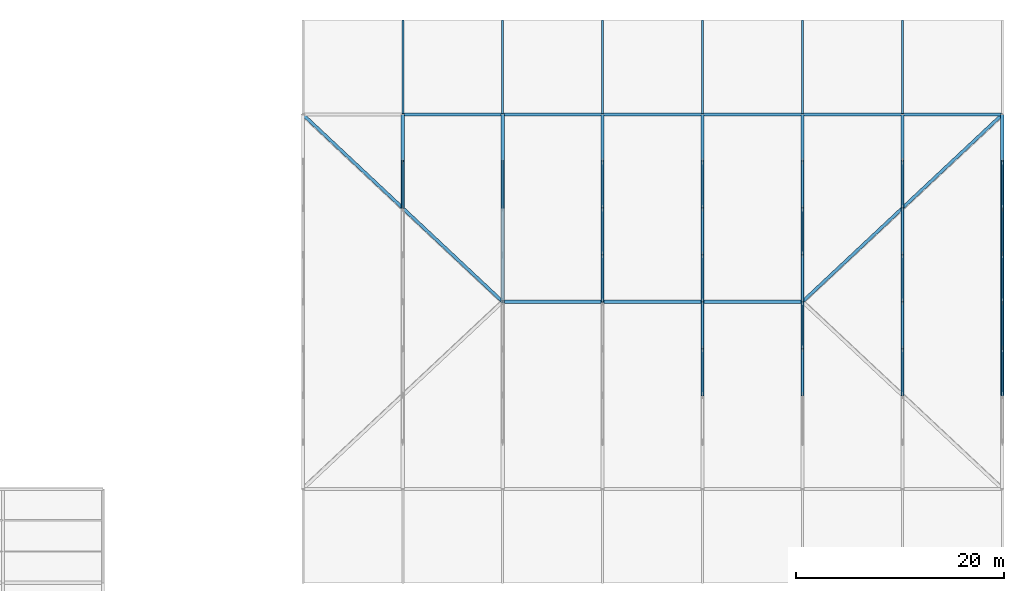
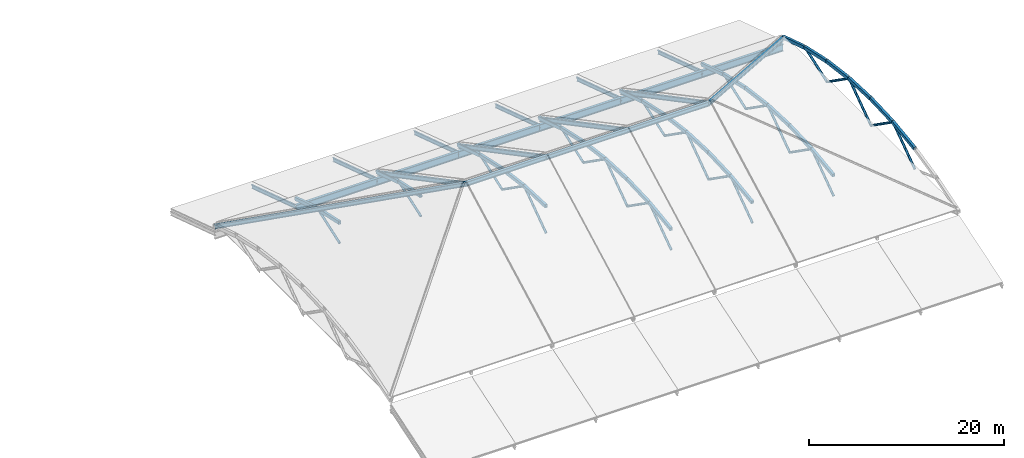
# One storey, part 3 of 16: 57 members, 19 beams.
"""IFC4 building model written with IfcOpenShell, lengths in metres."""

from ifc_helpers import new_model, si_unit, direction, frame, origin, origin_2d, place, context, subcontext, project, spatial, hollow_rectangle, hollow_circle, i_section, extrude, material, material_profile, profile_set, type_object, element, save


model = new_model("IFC4")

# Units and contexts
model_context = context("Model", 3, precision=1e-05, world=origin(), true_north=direction((0.0, 1.0)))
body_context = subcontext(model_context, "Body", "Model", "MODEL_VIEW")
ifc_project = project(units=[si_unit("LENGTHUNIT", "METRE"), si_unit("AREAUNIT", "SQUARE_METRE"), si_unit("VOLUMEUNIT", "CUBIC_METRE"), si_unit("PLANEANGLEUNIT", "RADIAN"), si_unit("MASSUNIT", "GRAM", prefix="KILO")], contexts=[model_context])

# Site, building, storey
site_placement = place(None, origin())
site = spatial("IfcSite", under=ifc_project, at=site_placement, CompositionType="ELEMENT")
building_placement = place(site_placement, origin())
building = spatial("IfcBuilding", under=site, at=building_placement, Name="Zarnetskaya Central Station", CompositionType="ELEMENT")
storey_placement = place(building_placement, frame((0.0, 0.0, 27.0)))
storey = spatial("IfcBuildingStorey", under=building, at=storey_placement, Name="RF", CompositionType="ELEMENT", Elevation=27.0)

# Beams
ifc_material = material(Name="Steel S355", Category="steel")
ifc_material_profile_1 = material_profile(ifc_material, i_section(OverallWidth=0.18994140625, OverallDepth=0.449951171875, WebThickness=0.009521484375, FlangeThickness=0.0146484375, FilletRadius=0.02099609375, at=origin_2d()), Name="IPE 450")
ifc_profile_set_1 = profile_set([ifc_material_profile_1], Name="Steel S355")
beam_type_1 = type_object("IfcBeamType", Name="BM-EAVE-RAKER", PredefinedType="BEAM", material=ifc_profile_set_1)
for number, where, z_axis, x_axis, name in (
    (1, (67.199951171875, 67.199951171875, -16.85009765625), (0.0, -0.951184133272, 0.308623953398), (1.0, 0.0, 0.0), "Hall north eave raker H"),
    (2, (76.800048828125, 67.199951171875, -16.85009765625), (0.0, -0.951184133272, 0.308623953398), (1.0, 0.0, 0.0), "Hall north eave raker J"),
    (3, (86.39990234375, 67.199951171875, -16.85009765625), (0.0, -0.951184133272, 0.308623953398), (1.0, 0.0, 0.0), "Hall north eave raker K"),
    (4, (96.0, 67.199951171875, -16.85009765625), (0.0, -0.951184133272, 0.308623953398), (1.0, 0.0, 0.0), "Hall north eave raker L"),
    (5, (105.60009765625, 67.199951171875, -16.85009765625), (0.0, -0.951184133272, 0.308623953398), (1.0, 0.0, 0.0), "Hall north eave raker M"),
    (6, (115.199951171875, 67.199951171875, -16.85009765625), (0.0, -0.951184133272, 0.308623953398), (1.0, 0.0, 0.0), "Hall north eave raker N"),
):
    element("IfcBeam", number, at=place(storey_placement, frame(where, z_axis=z_axis, x_axis=x_axis)), inside=storey, type_object=beam_type_1, Name=name, PredefinedType="BEAM", context=body_context, shape_type="SweptSolid", body=[
        extrude(i_section(OverallWidth=0.18994140625, OverallDepth=0.449951171875, WebThickness=0.009521484375, FlangeThickness=0.0146484375, FilletRadius=0.02099609375, at=origin_2d()), origin(), (0.0, 0.0, 1.0), 9.4619140625),
    ])
ifc_material_profile_2 = material_profile(ifc_material, i_section(OverallWidth=0.300048828125, OverallDepth=0.5, WebThickness=0.014404296875, FlangeThickness=0.028076171875, FilletRadius=0.027099609375, at=origin_2d()), Name="HEB 500")
ifc_profile_set_2 = profile_set([ifc_material_profile_2], Name="Steel S355")
beam_type_2 = type_object("IfcBeamType", Name="BM-HIP-RAFTER", PredefinedType="BEAM", material=ifc_profile_set_2)
for number, where, z_axis, x_axis, name in (
    (7, (76.800048828125, 58.199951171875, -13.050048828125), (0.0, -0.884384752847, 0.466758619558), (1.0, 0.0, 0.0), "Grand hall north pitched rafter J"),
    (8, (86.39990234375, 58.199951171875, -13.050048828125), (0.0, -0.884384752847, 0.466758619558), (1.0, 0.0, 0.0), "Grand hall north pitched rafter K"),
    (9, (96.0, 58.199951171875, -13.050048828125), (0.0, -0.884384752847, 0.466758619558), (1.0, 0.0, 0.0), "Grand hall north pitched rafter L"),
    (10, (105.60009765625, 58.199951171875, -13.050048828125), (0.0, -0.884384752847, 0.466758619558), (1.0, 0.0, 0.0), "Grand hall north pitched rafter M"),
):
    element("IfcBeam", number, at=place(storey_placement, frame(where, z_axis=z_axis, x_axis=x_axis)), inside=storey, type_object=beam_type_2, Name=name, PredefinedType="BEAM", context=body_context, shape_type="SweptSolid", body=[
        extrude(i_section(OverallWidth=0.300048828125, OverallDepth=0.5, WebThickness=0.014404296875, FlangeThickness=0.028076171875, FilletRadius=0.027099609375, at=origin_2d()), origin(), (0.0, 0.0, 1.0), 20.35302734375),
    ])
for number, where, z_axis, x_axis, name in (
    (11, (57.60009765625, 58.199951171875, -13.050048828125), (0.686199301132, -0.643313480842, 0.339526559333), (0.683942054608, 0.72953633627, 0.0), "Grand hall diagonal hip rafter HR-NW"),
    (12, (124.800048828125, 58.199951171875, -13.050048828125), (-0.686199301132, -0.643313480842, 0.339526559333), (0.683942054608, -0.72953633627, 0.0), "Grand hall diagonal hip rafter HR-NE"),
):
    element("IfcBeam", number, at=place(storey_placement, frame(where, z_axis=z_axis, x_axis=x_axis)), inside=storey, type_object=beam_type_2, Name=name, PredefinedType="BEAM", context=body_context, shape_type="SweptSolid", body=[
        extrude(i_section(OverallWidth=0.300048828125, OverallDepth=0.5, WebThickness=0.014404296875, FlangeThickness=0.028076171875, FilletRadius=0.027099609375, at=origin_2d()), origin(), (0.0, 0.0, 1.0), 27.980224609375),
    ])
ifc_material_profile_3 = material_profile(ifc_material, i_section(OverallWidth=0.300048828125, OverallDepth=0.550048828125, WebThickness=0.014892578125, FlangeThickness=0.029052734375, FilletRadius=0.027099609375, at=origin_2d()), Name="HEB 550")
ifc_profile_set_3 = profile_set([ifc_material_profile_3], Name="Steel S355")
beam_type_3 = type_object("IfcBeamType", Name="BM-HIP-RIDGE", PredefinedType="USERDEFINED", material=ifc_profile_set_3)
beam_1_placement = place(storey_placement, frame((76.800048828125, 40.199951171875, -3.550048828125), z_axis=(1.0, 0.0, 0.0), x_axis=(0.0, 1.0, 0.0)))
element("IfcBeam", 13, at=beam_1_placement, inside=storey, type_object=beam_type_3, Name="Grand hall pyramid-hip ridge girder", ObjectType="GIRDER", PredefinedType="USERDEFINED", context=body_context, shape_type="SweptSolid", body=[
    extrude(i_section(OverallWidth=0.300048828125, OverallDepth=0.550048828125, WebThickness=0.014892578125, FlangeThickness=0.029052734375, FilletRadius=0.027099609375, at=origin_2d()), origin(), (0.0, 0.0, 1.0), 28.800048828125),
])
ifc_material_profile_4 = material_profile(ifc_material, i_section(OverallWidth=0.300048828125, OverallDepth=0.89990234375, WebThickness=0.0185546875, FlangeThickness=0.034912109375, FilletRadius=0.030029296875, at=origin_2d()), Name="HEB 900")
ifc_profile_set_4 = profile_set([ifc_material_profile_4], Name="Steel S355")
beam_type_4 = type_object("IfcBeamType", Name="GD-HALL-RING", PredefinedType="USERDEFINED", material=ifc_profile_set_4)
beam_2_placement = place(storey_placement, frame((67.199951171875, 58.199951171875, -14.1298828125), z_axis=(1.0, 0.0, 0.0), x_axis=(0.0, 1.0, 0.0)))
element("IfcBeam", 14, at=beam_2_placement, inside=storey, type_object=beam_type_4, Name="Hall north ring girder GD-RING-N-HJ", ObjectType="GIRDER", PredefinedType="USERDEFINED", context=body_context, shape_type="SweptSolid", body=[
    extrude(i_section(OverallWidth=0.300048828125, OverallDepth=0.89990234375, WebThickness=0.0185546875, FlangeThickness=0.034912109375, FilletRadius=0.030029296875, at=origin_2d()), origin(), (0.0, 0.0, 1.0), 9.60009765625),
])
beam_3_placement = place(storey_placement, frame((76.800048828125, 58.199951171875, -14.1298828125), z_axis=(1.0, 0.0, 0.0), x_axis=(0.0, 1.0, 0.0)))
element("IfcBeam", 15, at=beam_3_placement, inside=storey, type_object=beam_type_4, Name="Hall north ring girder GD-RING-N-JK", ObjectType="GIRDER", PredefinedType="USERDEFINED", context=body_context, shape_type="SweptSolid", body=[
    extrude(i_section(OverallWidth=0.300048828125, OverallDepth=0.89990234375, WebThickness=0.0185546875, FlangeThickness=0.034912109375, FilletRadius=0.030029296875, at=origin_2d()), origin(), (0.0, 0.0, 1.0), 9.599853515625),
])
for number, where, z_axis, x_axis, name in (
    (16, (86.39990234375, 58.199951171875, -14.1298828125), (1.0, 0.0, 0.0), (0.0, 1.0, 0.0), "Hall north ring girder GD-RING-N-KL"),
    (17, (96.0, 58.199951171875, -14.1298828125), (1.0, 0.0, 0.0), (0.0, 1.0, 0.0), "Hall north ring girder GD-RING-N-LM"),
):
    element("IfcBeam", number, at=place(storey_placement, frame(where, z_axis=z_axis, x_axis=x_axis)), inside=storey, type_object=beam_type_4, Name=name, ObjectType="GIRDER", PredefinedType="USERDEFINED", context=body_context, shape_type="SweptSolid", body=[
        extrude(i_section(OverallWidth=0.300048828125, OverallDepth=0.89990234375, WebThickness=0.0185546875, FlangeThickness=0.034912109375, FilletRadius=0.030029296875, at=origin_2d()), origin(), (0.0, 0.0, 1.0), 9.60009765625),
    ])
beam_4_placement = place(storey_placement, frame((105.60009765625, 58.199951171875, -14.1298828125), z_axis=(1.0, 0.0, 0.0), x_axis=(0.0, 1.0, 0.0)))
element("IfcBeam", 18, at=beam_4_placement, inside=storey, type_object=beam_type_4, Name="Hall north ring girder GD-RING-N-MN", ObjectType="GIRDER", PredefinedType="USERDEFINED", context=body_context, shape_type="SweptSolid", body=[
    extrude(i_section(OverallWidth=0.300048828125, OverallDepth=0.89990234375, WebThickness=0.0185546875, FlangeThickness=0.034912109375, FilletRadius=0.030029296875, at=origin_2d()), origin(), (0.0, 0.0, 1.0), 9.599853515625),
])
beam_5_placement = place(storey_placement, frame((115.199951171875, 58.199951171875, -14.1298828125), z_axis=(1.0, 0.0, 0.0), x_axis=(0.0, 1.0, 0.0)))
element("IfcBeam", 19, at=beam_5_placement, inside=storey, type_object=beam_type_4, Name="Hall north ring girder GD-RING-N-NP", ObjectType="GIRDER", PredefinedType="USERDEFINED", context=body_context, shape_type="SweptSolid", body=[
    extrude(i_section(OverallWidth=0.300048828125, OverallDepth=0.89990234375, WebThickness=0.0185546875, FlangeThickness=0.034912109375, FilletRadius=0.030029296875, at=origin_2d()), origin(), (0.0, 0.0, 1.0), 9.60009765625),
])

# Members
ifc_material_profile_5 = material_profile(ifc_material, hollow_rectangle(XDim=0.300048828125, YDim=0.39990234375, WallThickness=0.01611328125, at=origin_2d()), Name="RHS 400x300x16")
ifc_profile_set_5 = profile_set([ifc_material_profile_5], Name="Steel S355")
member_type_1 = type_object("IfcMemberType", Name="MB-ARCH-CHORD", PredefinedType="CHORD", material=ifc_profile_set_5)
member_1_placement = place(storey_placement, frame((67.199951171875, 49.199951171875, -10.469970703125), z_axis=(0.0, 0.976265510247, -0.21657713061), x_axis=(-1.0, 0.0, 0.0)))
element("IfcMember", 20, at=member_1_placement, inside=storey, type_object=member_type_1, Name="ROOF TRUSS RT-02 arched chord 7", PredefinedType="CHORD", context=body_context, shape_type="SweptSolid", body=[
    extrude(hollow_rectangle(XDim=0.300048828125, YDim=0.39990234375, WallThickness=0.01611328125, at=origin_2d()), origin(), (0.0, 0.0, 1.0), 4.609375),
])
member_2_placement = place(storey_placement, frame((67.199951171875, 53.699951171875, -11.46826171875), z_axis=(0.0, 0.952936643217, -0.303169513662), x_axis=(-1.0, 0.0, 0.0)))
element("IfcMember", 21, at=member_2_placement, inside=storey, type_object=member_type_1, Name="ROOF TRUSS RT-02 arched chord 8", PredefinedType="CHORD", context=body_context, shape_type="SweptSolid", body=[
    extrude(hollow_rectangle(XDim=0.300048828125, YDim=0.39990234375, WallThickness=0.01611328125, at=origin_2d()), origin(), (0.0, 0.0, 1.0), 4.72216796875),
])
member_3_placement = place(storey_placement, frame((76.800048828125, 49.199951171875, -10.469970703125), z_axis=(0.0, 0.976265510247, -0.21657713061), x_axis=(-1.0, 0.0, 0.0)))
element("IfcMember", 22, at=member_3_placement, inside=storey, type_object=member_type_1, Name="ROOF TRUSS RT-03 arched chord 7", PredefinedType="CHORD", context=body_context, shape_type="SweptSolid", body=[
    extrude(hollow_rectangle(XDim=0.300048828125, YDim=0.39990234375, WallThickness=0.01611328125, at=origin_2d()), origin(), (0.0, 0.0, 1.0), 4.609375),
])
member_4_placement = place(storey_placement, frame((76.800048828125, 53.699951171875, -11.46826171875), z_axis=(0.0, 0.952936643217, -0.303169513662), x_axis=(-1.0, 0.0, 0.0)))
element("IfcMember", 23, at=member_4_placement, inside=storey, type_object=member_type_1, Name="ROOF TRUSS RT-03 arched chord 8", PredefinedType="CHORD", context=body_context, shape_type="SweptSolid", body=[
    extrude(hollow_rectangle(XDim=0.300048828125, YDim=0.39990234375, WallThickness=0.01611328125, at=origin_2d()), origin(), (0.0, 0.0, 1.0), 4.72216796875),
])
member_5_placement = place(storey_placement, frame((86.39990234375, 40.199951171875, -9.685302734375), z_axis=(0.0, 0.999061774774, -0.043307853627), x_axis=(-1.0, 0.0, 0.0)))
element("IfcMember", 24, at=member_5_placement, inside=storey, type_object=member_type_1, Name="ROOF TRUSS RT-04 arched chord 5", PredefinedType="CHORD", context=body_context, shape_type="SweptSolid", body=[
    extrude(hollow_rectangle(XDim=0.300048828125, YDim=0.39990234375, WallThickness=0.01611328125, at=origin_2d()), origin(), (0.0, 0.0, 1.0), 4.504150390625),
])
member_6_placement = place(storey_placement, frame((86.39990234375, 44.699951171875, -9.88037109375), z_axis=(0.0, 0.991525554585, -0.129911795482), x_axis=(-1.0, 0.0, 0.0)))
element("IfcMember", 25, at=member_6_placement, inside=storey, type_object=member_type_1, Name="ROOF TRUSS RT-04 arched chord 6", PredefinedType="CHORD", context=body_context, shape_type="SweptSolid", body=[
    extrude(hollow_rectangle(XDim=0.300048828125, YDim=0.39990234375, WallThickness=0.01611328125, at=origin_2d()), origin(), (0.0, 0.0, 1.0), 4.53857421875),
])
member_7_placement = place(storey_placement, frame((86.39990234375, 49.199951171875, -10.469970703125), z_axis=(0.0, 0.976265510247, -0.21657713061), x_axis=(-1.0, 0.0, 0.0)))
element("IfcMember", 26, at=member_7_placement, inside=storey, type_object=member_type_1, Name="ROOF TRUSS RT-04 arched chord 7", PredefinedType="CHORD", context=body_context, shape_type="SweptSolid", body=[
    extrude(hollow_rectangle(XDim=0.300048828125, YDim=0.39990234375, WallThickness=0.01611328125, at=origin_2d()), origin(), (0.0, 0.0, 1.0), 4.609375),
])
member_8_placement = place(storey_placement, frame((86.39990234375, 53.699951171875, -11.46826171875), z_axis=(0.0, 0.952936643217, -0.303169513662), x_axis=(-1.0, 0.0, 0.0)))
element("IfcMember", 27, at=member_8_placement, inside=storey, type_object=member_type_1, Name="ROOF TRUSS RT-04 arched chord 8", PredefinedType="CHORD", context=body_context, shape_type="SweptSolid", body=[
    extrude(hollow_rectangle(XDim=0.300048828125, YDim=0.39990234375, WallThickness=0.01611328125, at=origin_2d()), origin(), (0.0, 0.0, 1.0), 4.72216796875),
])
member_9_placement = place(storey_placement, frame((96.0, 31.199951171875, -10.469970703125), z_axis=(0.0, 0.991525554585, 0.129911795482), x_axis=(-1.0, 0.0, 0.0)))
element("IfcMember", 28, at=member_9_placement, inside=storey, type_object=member_type_1, Name="ROOF TRUSS RT-05 arched chord 3", PredefinedType="CHORD", context=body_context, shape_type="SweptSolid", body=[
    extrude(hollow_rectangle(XDim=0.300048828125, YDim=0.39990234375, WallThickness=0.01611328125, at=origin_2d()), origin(), (0.0, 0.0, 1.0), 4.53857421875),
])
for number, where, z_axis, x_axis, name in (
    (29, (96.0, 35.699951171875, -9.88037109375), (0.0, 0.999061774774, 0.043307853627), (-1.0, 0.0, 0.0), "ROOF TRUSS RT-05 arched chord 4"),
    (30, (96.0, 40.199951171875, -9.685302734375), (0.0, 0.999061774774, -0.043307853627), (-1.0, 0.0, 0.0), "ROOF TRUSS RT-05 arched chord 5"),
):
    element("IfcMember", number, at=place(storey_placement, frame(where, z_axis=z_axis, x_axis=x_axis)), inside=storey, type_object=member_type_1, Name=name, PredefinedType="CHORD", context=body_context, shape_type="SweptSolid", body=[
        extrude(hollow_rectangle(XDim=0.300048828125, YDim=0.39990234375, WallThickness=0.01611328125, at=origin_2d()), origin(), (0.0, 0.0, 1.0), 4.504150390625),
    ])
member_10_placement = place(storey_placement, frame((96.0, 44.699951171875, -9.88037109375), z_axis=(0.0, 0.991525554585, -0.129911795482), x_axis=(-1.0, 0.0, 0.0)))
element("IfcMember", 31, at=member_10_placement, inside=storey, type_object=member_type_1, Name="ROOF TRUSS RT-05 arched chord 6", PredefinedType="CHORD", context=body_context, shape_type="SweptSolid", body=[
    extrude(hollow_rectangle(XDim=0.300048828125, YDim=0.39990234375, WallThickness=0.01611328125, at=origin_2d()), origin(), (0.0, 0.0, 1.0), 4.53857421875),
])
member_11_placement = place(storey_placement, frame((96.0, 49.199951171875, -10.469970703125), z_axis=(0.0, 0.976265510247, -0.21657713061), x_axis=(-1.0, 0.0, 0.0)))
element("IfcMember", 32, at=member_11_placement, inside=storey, type_object=member_type_1, Name="ROOF TRUSS RT-05 arched chord 7", PredefinedType="CHORD", context=body_context, shape_type="SweptSolid", body=[
    extrude(hollow_rectangle(XDim=0.300048828125, YDim=0.39990234375, WallThickness=0.01611328125, at=origin_2d()), origin(), (0.0, 0.0, 1.0), 4.609375),
])
member_12_placement = place(storey_placement, frame((96.0, 53.699951171875, -11.46826171875), z_axis=(0.0, 0.952936643217, -0.303169513662), x_axis=(-1.0, 0.0, 0.0)))
element("IfcMember", 33, at=member_12_placement, inside=storey, type_object=member_type_1, Name="ROOF TRUSS RT-05 arched chord 8", PredefinedType="CHORD", context=body_context, shape_type="SweptSolid", body=[
    extrude(hollow_rectangle(XDim=0.300048828125, YDim=0.39990234375, WallThickness=0.01611328125, at=origin_2d()), origin(), (0.0, 0.0, 1.0), 4.72216796875),
])
member_13_placement = place(storey_placement, frame((105.60009765625, 31.199951171875, -10.469970703125), z_axis=(0.0, 0.991525554585, 0.129911795482), x_axis=(-1.0, 0.0, 0.0)))
element("IfcMember", 34, at=member_13_placement, inside=storey, type_object=member_type_1, Name="ROOF TRUSS RT-06 arched chord 3", PredefinedType="CHORD", context=body_context, shape_type="SweptSolid", body=[
    extrude(hollow_rectangle(XDim=0.300048828125, YDim=0.39990234375, WallThickness=0.01611328125, at=origin_2d()), origin(), (0.0, 0.0, 1.0), 4.53857421875),
])
for number, where, z_axis, x_axis, name in (
    (35, (105.60009765625, 35.699951171875, -9.88037109375), (0.0, 0.999061774774, 0.043307853627), (-1.0, 0.0, 0.0), "ROOF TRUSS RT-06 arched chord 4"),
    (36, (105.60009765625, 40.199951171875, -9.685302734375), (0.0, 0.999061774774, -0.043307853627), (-1.0, 0.0, 0.0), "ROOF TRUSS RT-06 arched chord 5"),
):
    element("IfcMember", number, at=place(storey_placement, frame(where, z_axis=z_axis, x_axis=x_axis)), inside=storey, type_object=member_type_1, Name=name, PredefinedType="CHORD", context=body_context, shape_type="SweptSolid", body=[
        extrude(hollow_rectangle(XDim=0.300048828125, YDim=0.39990234375, WallThickness=0.01611328125, at=origin_2d()), origin(), (0.0, 0.0, 1.0), 4.504150390625),
    ])
member_14_placement = place(storey_placement, frame((105.60009765625, 44.699951171875, -9.88037109375), z_axis=(0.0, 0.991525554585, -0.129911795482), x_axis=(-1.0, 0.0, 0.0)))
element("IfcMember", 37, at=member_14_placement, inside=storey, type_object=member_type_1, Name="ROOF TRUSS RT-06 arched chord 6", PredefinedType="CHORD", context=body_context, shape_type="SweptSolid", body=[
    extrude(hollow_rectangle(XDim=0.300048828125, YDim=0.39990234375, WallThickness=0.01611328125, at=origin_2d()), origin(), (0.0, 0.0, 1.0), 4.53857421875),
])
member_15_placement = place(storey_placement, frame((105.60009765625, 49.199951171875, -10.469970703125), z_axis=(0.0, 0.976265510247, -0.21657713061), x_axis=(-1.0, 0.0, 0.0)))
element("IfcMember", 38, at=member_15_placement, inside=storey, type_object=member_type_1, Name="ROOF TRUSS RT-06 arched chord 7", PredefinedType="CHORD", context=body_context, shape_type="SweptSolid", body=[
    extrude(hollow_rectangle(XDim=0.300048828125, YDim=0.39990234375, WallThickness=0.01611328125, at=origin_2d()), origin(), (0.0, 0.0, 1.0), 4.609375),
])
member_16_placement = place(storey_placement, frame((105.60009765625, 53.699951171875, -11.46826171875), z_axis=(0.0, 0.952936643217, -0.303169513662), x_axis=(-1.0, 0.0, 0.0)))
element("IfcMember", 39, at=member_16_placement, inside=storey, type_object=member_type_1, Name="ROOF TRUSS RT-06 arched chord 8", PredefinedType="CHORD", context=body_context, shape_type="SweptSolid", body=[
    extrude(hollow_rectangle(XDim=0.300048828125, YDim=0.39990234375, WallThickness=0.01611328125, at=origin_2d()), origin(), (0.0, 0.0, 1.0), 4.72216796875),
])
member_17_placement = place(storey_placement, frame((115.199951171875, 31.199951171875, -10.469970703125), z_axis=(0.0, 0.991525554585, 0.129911795482), x_axis=(-1.0, 0.0, 0.0)))
element("IfcMember", 40, at=member_17_placement, inside=storey, type_object=member_type_1, Name="ROOF TRUSS RT-07 arched chord 3", PredefinedType="CHORD", context=body_context, shape_type="SweptSolid", body=[
    extrude(hollow_rectangle(XDim=0.300048828125, YDim=0.39990234375, WallThickness=0.01611328125, at=origin_2d()), origin(), (0.0, 0.0, 1.0), 4.53857421875),
])
for number, where, z_axis, x_axis, name in (
    (41, (115.199951171875, 35.699951171875, -9.88037109375), (0.0, 0.999061774774, 0.043307853627), (-1.0, 0.0, 0.0), "ROOF TRUSS RT-07 arched chord 4"),
    (42, (115.199951171875, 40.199951171875, -9.685302734375), (0.0, 0.999061774774, -0.043307853627), (-1.0, 0.0, 0.0), "ROOF TRUSS RT-07 arched chord 5"),
):
    element("IfcMember", number, at=place(storey_placement, frame(where, z_axis=z_axis, x_axis=x_axis)), inside=storey, type_object=member_type_1, Name=name, PredefinedType="CHORD", context=body_context, shape_type="SweptSolid", body=[
        extrude(hollow_rectangle(XDim=0.300048828125, YDim=0.39990234375, WallThickness=0.01611328125, at=origin_2d()), origin(), (0.0, 0.0, 1.0), 4.504150390625),
    ])
member_18_placement = place(storey_placement, frame((115.199951171875, 44.699951171875, -9.88037109375), z_axis=(0.0, 0.991525554585, -0.129911795482), x_axis=(-1.0, 0.0, 0.0)))
element("IfcMember", 43, at=member_18_placement, inside=storey, type_object=member_type_1, Name="ROOF TRUSS RT-07 arched chord 6", PredefinedType="CHORD", context=body_context, shape_type="SweptSolid", body=[
    extrude(hollow_rectangle(XDim=0.300048828125, YDim=0.39990234375, WallThickness=0.01611328125, at=origin_2d()), origin(), (0.0, 0.0, 1.0), 4.53857421875),
])
member_19_placement = place(storey_placement, frame((115.199951171875, 49.199951171875, -10.469970703125), z_axis=(0.0, 0.976265510247, -0.21657713061), x_axis=(-1.0, 0.0, 0.0)))
element("IfcMember", 44, at=member_19_placement, inside=storey, type_object=member_type_1, Name="ROOF TRUSS RT-07 arched chord 7", PredefinedType="CHORD", context=body_context, shape_type="SweptSolid", body=[
    extrude(hollow_rectangle(XDim=0.300048828125, YDim=0.39990234375, WallThickness=0.01611328125, at=origin_2d()), origin(), (0.0, 0.0, 1.0), 4.609375),
])
member_20_placement = place(storey_placement, frame((115.199951171875, 53.699951171875, -11.46826171875), z_axis=(0.0, 0.952936643217, -0.303169513662), x_axis=(-1.0, 0.0, 0.0)))
element("IfcMember", 45, at=member_20_placement, inside=storey, type_object=member_type_1, Name="ROOF TRUSS RT-07 arched chord 8", PredefinedType="CHORD", context=body_context, shape_type="SweptSolid", body=[
    extrude(hollow_rectangle(XDim=0.300048828125, YDim=0.39990234375, WallThickness=0.01611328125, at=origin_2d()), origin(), (0.0, 0.0, 1.0), 4.72216796875),
])
member_21_placement = place(storey_placement, frame((124.800048828125, 31.199951171875, -10.469970703125), z_axis=(0.0, 0.991525554585, 0.129911795482), x_axis=(-1.0, 0.0, 0.0)))
element("IfcMember", 46, at=member_21_placement, inside=storey, type_object=member_type_1, Name="ROOF TRUSS RT-08 arched chord 3", PredefinedType="CHORD", context=body_context, shape_type="SweptSolid", body=[
    extrude(hollow_rectangle(XDim=0.300048828125, YDim=0.39990234375, WallThickness=0.01611328125, at=origin_2d()), origin(), (0.0, 0.0, 1.0), 4.53857421875),
])
for number, where, z_axis, x_axis, name in (
    (47, (124.800048828125, 35.699951171875, -9.88037109375), (0.0, 0.999061774774, 0.043307853627), (-1.0, 0.0, 0.0), "ROOF TRUSS RT-08 arched chord 4"),
    (48, (124.800048828125, 40.199951171875, -9.685302734375), (0.0, 0.999061774774, -0.043307853627), (-1.0, 0.0, 0.0), "ROOF TRUSS RT-08 arched chord 5"),
):
    element("IfcMember", number, at=place(storey_placement, frame(where, z_axis=z_axis, x_axis=x_axis)), inside=storey, type_object=member_type_1, Name=name, PredefinedType="CHORD", context=body_context, shape_type="SweptSolid", body=[
        extrude(hollow_rectangle(XDim=0.300048828125, YDim=0.39990234375, WallThickness=0.01611328125, at=origin_2d()), origin(), (0.0, 0.0, 1.0), 4.504150390625),
    ])
member_22_placement = place(storey_placement, frame((124.800048828125, 44.699951171875, -9.88037109375), z_axis=(0.0, 0.991525554585, -0.129911795482), x_axis=(-1.0, 0.0, 0.0)))
element("IfcMember", 49, at=member_22_placement, inside=storey, type_object=member_type_1, Name="ROOF TRUSS RT-08 arched chord 6", PredefinedType="CHORD", context=body_context, shape_type="SweptSolid", body=[
    extrude(hollow_rectangle(XDim=0.300048828125, YDim=0.39990234375, WallThickness=0.01611328125, at=origin_2d()), origin(), (0.0, 0.0, 1.0), 4.53857421875),
])
member_23_placement = place(storey_placement, frame((124.800048828125, 49.199951171875, -10.469970703125), z_axis=(0.0, 0.976265510247, -0.21657713061), x_axis=(-1.0, 0.0, 0.0)))
element("IfcMember", 50, at=member_23_placement, inside=storey, type_object=member_type_1, Name="ROOF TRUSS RT-08 arched chord 7", PredefinedType="CHORD", context=body_context, shape_type="SweptSolid", body=[
    extrude(hollow_rectangle(XDim=0.300048828125, YDim=0.39990234375, WallThickness=0.01611328125, at=origin_2d()), origin(), (0.0, 0.0, 1.0), 4.609375),
])
member_24_placement = place(storey_placement, frame((124.800048828125, 53.699951171875, -11.46826171875), z_axis=(0.0, 0.952936643217, -0.303169513662), x_axis=(-1.0, 0.0, 0.0)))
element("IfcMember", 51, at=member_24_placement, inside=storey, type_object=member_type_1, Name="ROOF TRUSS RT-08 arched chord 8", PredefinedType="CHORD", context=body_context, shape_type="SweptSolid", body=[
    extrude(hollow_rectangle(XDim=0.300048828125, YDim=0.39990234375, WallThickness=0.01611328125, at=origin_2d()), origin(), (0.0, 0.0, 1.0), 4.72216796875),
])
ifc_material_profile_6 = material_profile(ifc_material, hollow_circle(Radius=0.136474609375, WallThickness=0.012451171875, at=origin_2d()), Name="CHS 273x12.5")
ifc_profile_set_6 = profile_set([ifc_material_profile_6], Name="Steel S355")
member_type_2 = type_object("IfcMemberType", Name="MB-WEB-DIAG", PredefinedType="BRACE", material=ifc_profile_set_6)
for number, where, z_axis, x_axis, name in (
    (52, (67.199951171875, 49.199951171875, -13.050048828125), (0.0, 0.943413839024, 0.331617744305), (-1.0, 0.0, 0.0), "ROOF TRUSS RT-02 diagonal web 7"),
    (53, (76.800048828125, 49.199951171875, -13.050048828125), (0.0, 0.943413839024, 0.331617744305), (-1.0, 0.0, 0.0), "ROOF TRUSS RT-03 diagonal web 7"),
):
    element("IfcMember", number, at=place(storey_placement, frame(where, z_axis=z_axis, x_axis=x_axis)), inside=storey, type_object=member_type_2, Name=name, PredefinedType="BRACE", context=body_context, shape_type="SweptSolid", body=[
        extrude(hollow_circle(Radius=0.136474609375, WallThickness=0.012451171875, at=origin_2d()), origin(), (0.0, 0.0, 1.0), 4.77001953125),
    ])
for number, where, z_axis, x_axis, name in (
    (54, (86.39990234375, 40.199951171875, -13.050048828125), (0.0, 0.81754887578, 0.575859215183), (-1.0, 0.0, 0.0), "ROOF TRUSS RT-04 diagonal web 5"),
    (55, (86.39990234375, 49.199951171875, -13.050048828125), (0.0, -0.81754887578, 0.575859215183), (1.0, 0.0, 0.0), "ROOF TRUSS RT-04 diagonal web 6"),
):
    element("IfcMember", number, at=place(storey_placement, frame(where, z_axis=z_axis, x_axis=x_axis)), inside=storey, type_object=member_type_2, Name=name, PredefinedType="BRACE", context=body_context, shape_type="SweptSolid", body=[
        extrude(hollow_circle(Radius=0.136474609375, WallThickness=0.012451171875, at=origin_2d()), origin(), (0.0, 0.0, 1.0), 5.504150390625),
    ])
member_25_placement = place(storey_placement, frame((86.39990234375, 49.199951171875, -13.050048828125), z_axis=(0.0, 0.943413839024, 0.331617744305), x_axis=(-1.0, 0.0, 0.0)))
element("IfcMember", 56, at=member_25_placement, inside=storey, type_object=member_type_2, Name="ROOF TRUSS RT-04 diagonal web 7", PredefinedType="BRACE", context=body_context, shape_type="SweptSolid", body=[
    extrude(hollow_circle(Radius=0.136474609375, WallThickness=0.012451171875, at=origin_2d()), origin(), (0.0, 0.0, 1.0), 4.77001953125),
])
for number, where, z_axis, x_axis, name in (
    (57, (96.0, 31.199951171875, -13.050048828125), (0.0, 0.81754887578, 0.575859215183), (-1.0, 0.0, 0.0), "ROOF TRUSS RT-05 diagonal web 3"),
    (58, (96.0, 40.199951171875, -13.050048828125), (0.0, -0.81754887578, 0.575859215183), (1.0, 0.0, 0.0), "ROOF TRUSS RT-05 diagonal web 4"),
    (59, (96.0, 40.199951171875, -13.050048828125), (0.0, 0.81754887578, 0.575859215183), (-1.0, 0.0, 0.0), "ROOF TRUSS RT-05 diagonal web 5"),
    (60, (96.0, 49.199951171875, -13.050048828125), (0.0, -0.81754887578, 0.575859215183), (1.0, 0.0, 0.0), "ROOF TRUSS RT-05 diagonal web 6"),
):
    element("IfcMember", number, at=place(storey_placement, frame(where, z_axis=z_axis, x_axis=x_axis)), inside=storey, type_object=member_type_2, Name=name, PredefinedType="BRACE", context=body_context, shape_type="SweptSolid", body=[
        extrude(hollow_circle(Radius=0.136474609375, WallThickness=0.012451171875, at=origin_2d()), origin(), (0.0, 0.0, 1.0), 5.504150390625),
    ])
member_26_placement = place(storey_placement, frame((96.0, 49.199951171875, -13.050048828125), z_axis=(0.0, 0.943413839024, 0.331617744305), x_axis=(-1.0, 0.0, 0.0)))
element("IfcMember", 61, at=member_26_placement, inside=storey, type_object=member_type_2, Name="ROOF TRUSS RT-05 diagonal web 7", PredefinedType="BRACE", context=body_context, shape_type="SweptSolid", body=[
    extrude(hollow_circle(Radius=0.136474609375, WallThickness=0.012451171875, at=origin_2d()), origin(), (0.0, 0.0, 1.0), 4.77001953125),
])
for number, where, z_axis, x_axis, name in (
    (62, (105.60009765625, 31.199951171875, -13.050048828125), (0.0, 0.81754887578, 0.575859215183), (-1.0, 0.0, 0.0), "ROOF TRUSS RT-06 diagonal web 3"),
    (63, (105.60009765625, 40.199951171875, -13.050048828125), (0.0, -0.81754887578, 0.575859215183), (1.0, 0.0, 0.0), "ROOF TRUSS RT-06 diagonal web 4"),
    (64, (105.60009765625, 40.199951171875, -13.050048828125), (0.0, 0.81754887578, 0.575859215183), (-1.0, 0.0, 0.0), "ROOF TRUSS RT-06 diagonal web 5"),
    (65, (105.60009765625, 49.199951171875, -13.050048828125), (0.0, -0.81754887578, 0.575859215183), (1.0, 0.0, 0.0), "ROOF TRUSS RT-06 diagonal web 6"),
):
    element("IfcMember", number, at=place(storey_placement, frame(where, z_axis=z_axis, x_axis=x_axis)), inside=storey, type_object=member_type_2, Name=name, PredefinedType="BRACE", context=body_context, shape_type="SweptSolid", body=[
        extrude(hollow_circle(Radius=0.136474609375, WallThickness=0.012451171875, at=origin_2d()), origin(), (0.0, 0.0, 1.0), 5.504150390625),
    ])
member_27_placement = place(storey_placement, frame((105.60009765625, 49.199951171875, -13.050048828125), z_axis=(0.0, 0.943413839024, 0.331617744305), x_axis=(-1.0, 0.0, 0.0)))
element("IfcMember", 66, at=member_27_placement, inside=storey, type_object=member_type_2, Name="ROOF TRUSS RT-06 diagonal web 7", PredefinedType="BRACE", context=body_context, shape_type="SweptSolid", body=[
    extrude(hollow_circle(Radius=0.136474609375, WallThickness=0.012451171875, at=origin_2d()), origin(), (0.0, 0.0, 1.0), 4.77001953125),
])
for number, where, z_axis, x_axis, name in (
    (67, (115.199951171875, 31.199951171875, -13.050048828125), (0.0, 0.81754887578, 0.575859215183), (-1.0, 0.0, 0.0), "ROOF TRUSS RT-07 diagonal web 3"),
    (68, (115.199951171875, 40.199951171875, -13.050048828125), (0.0, -0.81754887578, 0.575859215183), (1.0, 0.0, 0.0), "ROOF TRUSS RT-07 diagonal web 4"),
    (69, (115.199951171875, 40.199951171875, -13.050048828125), (0.0, 0.81754887578, 0.575859215183), (-1.0, 0.0, 0.0), "ROOF TRUSS RT-07 diagonal web 5"),
    (70, (115.199951171875, 49.199951171875, -13.050048828125), (0.0, -0.81754887578, 0.575859215183), (1.0, 0.0, 0.0), "ROOF TRUSS RT-07 diagonal web 6"),
):
    element("IfcMember", number, at=place(storey_placement, frame(where, z_axis=z_axis, x_axis=x_axis)), inside=storey, type_object=member_type_2, Name=name, PredefinedType="BRACE", context=body_context, shape_type="SweptSolid", body=[
        extrude(hollow_circle(Radius=0.136474609375, WallThickness=0.012451171875, at=origin_2d()), origin(), (0.0, 0.0, 1.0), 5.504150390625),
    ])
member_28_placement = place(storey_placement, frame((115.199951171875, 49.199951171875, -13.050048828125), z_axis=(0.0, 0.943413839024, 0.331617744305), x_axis=(-1.0, 0.0, 0.0)))
element("IfcMember", 71, at=member_28_placement, inside=storey, type_object=member_type_2, Name="ROOF TRUSS RT-07 diagonal web 7", PredefinedType="BRACE", context=body_context, shape_type="SweptSolid", body=[
    extrude(hollow_circle(Radius=0.136474609375, WallThickness=0.012451171875, at=origin_2d()), origin(), (0.0, 0.0, 1.0), 4.77001953125),
])
for number, where, z_axis, x_axis, name in (
    (72, (124.800048828125, 31.199951171875, -13.050048828125), (0.0, 0.81754887578, 0.575859215183), (-1.0, 0.0, 0.0), "ROOF TRUSS RT-08 diagonal web 3"),
    (73, (124.800048828125, 40.199951171875, -13.050048828125), (0.0, -0.81754887578, 0.575859215183), (1.0, 0.0, 0.0), "ROOF TRUSS RT-08 diagonal web 4"),
    (74, (124.800048828125, 40.199951171875, -13.050048828125), (0.0, 0.81754887578, 0.575859215183), (-1.0, 0.0, 0.0), "ROOF TRUSS RT-08 diagonal web 5"),
    (75, (124.800048828125, 49.199951171875, -13.050048828125), (0.0, -0.81754887578, 0.575859215183), (1.0, 0.0, 0.0), "ROOF TRUSS RT-08 diagonal web 6"),
):
    element("IfcMember", number, at=place(storey_placement, frame(where, z_axis=z_axis, x_axis=x_axis)), inside=storey, type_object=member_type_2, Name=name, PredefinedType="BRACE", context=body_context, shape_type="SweptSolid", body=[
        extrude(hollow_circle(Radius=0.136474609375, WallThickness=0.012451171875, at=origin_2d()), origin(), (0.0, 0.0, 1.0), 5.504150390625),
    ])
member_29_placement = place(storey_placement, frame((124.800048828125, 49.199951171875, -13.050048828125), z_axis=(0.0, 0.943413839024, 0.331617744305), x_axis=(-1.0, 0.0, 0.0)))
element("IfcMember", 76, at=member_29_placement, inside=storey, type_object=member_type_2, Name="ROOF TRUSS RT-08 diagonal web 7", PredefinedType="BRACE", context=body_context, shape_type="SweptSolid", body=[
    extrude(hollow_circle(Radius=0.136474609375, WallThickness=0.012451171875, at=origin_2d()), origin(), (0.0, 0.0, 1.0), 4.77001953125),
])

save(model, "model.ifc")
